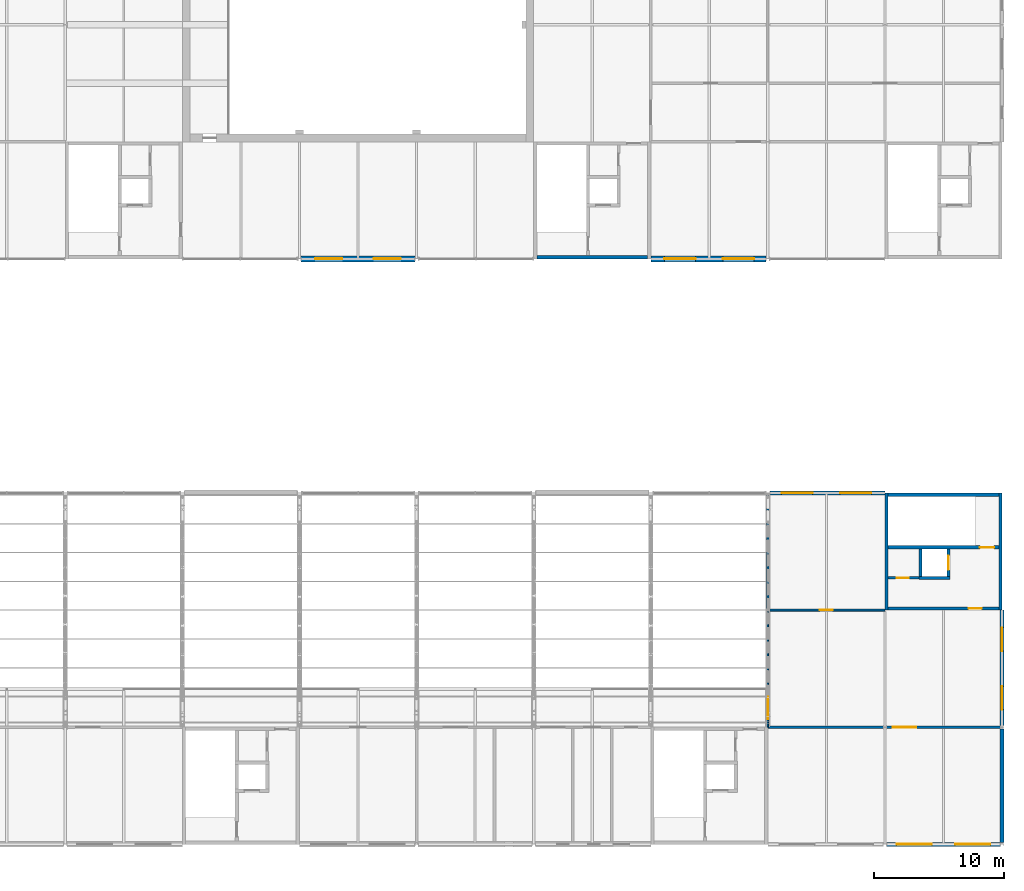
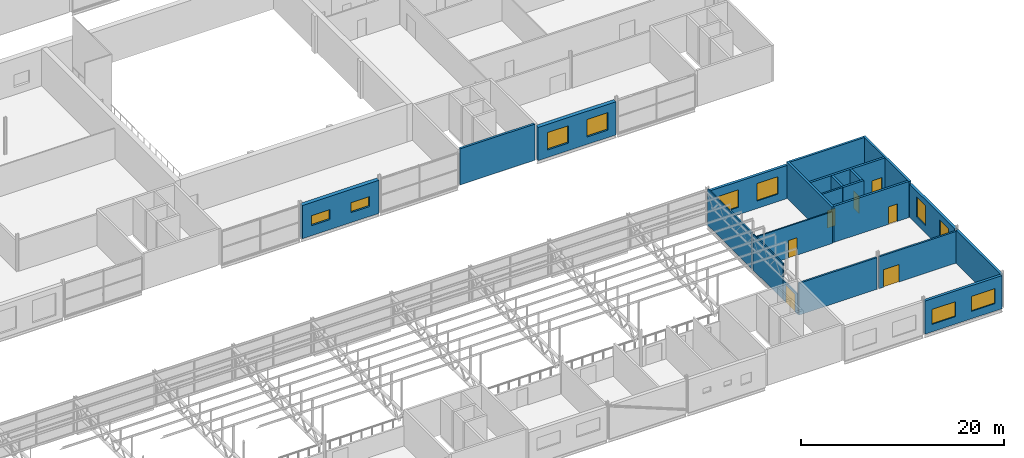
# One storey, part 127 of 138: 22 walls, 10 windows, 7 doors, 17 openings.
"""IFC4 building model written with IfcOpenShell, lengths in metres."""

from ifc_helpers import new_model, si_unit, direction, frame, frame_2d, origin, place, context, subcontext, project, spatial, rectangle, extrude, material, layer, layer_set, type_object, element, fill, save


model = new_model("IFC4")

# Units and contexts
model_context = context("Model", 3, precision=1e-05, world=origin(), true_north=direction((0.0, 1.0)))
body_context = subcontext(model_context, "Body", "Model", "MODEL_VIEW")
ifc_project = project(units=[si_unit("LENGTHUNIT", "METRE"), si_unit("AREAUNIT", "SQUARE_METRE"), si_unit("VOLUMEUNIT", "CUBIC_METRE"), si_unit("PLANEANGLEUNIT", "RADIAN"), si_unit("MASSUNIT", "GRAM", prefix="KILO")], contexts=[model_context])

# Site, building, storey
site_placement = place(None, origin())
site = spatial("IfcSite", under=ifc_project, at=site_placement, CompositionType="ELEMENT")
building_placement = place(site_placement, origin())
building = spatial("IfcBuilding", under=site, at=building_placement, Name="Corbel Yard City Hall", CompositionType="ELEMENT")
storey_placement = place(building_placement, frame((0.0, 0.0, 10.5)))
storey = spatial("IfcBuildingStorey", under=building, at=storey_placement, Name="L02", CompositionType="ELEMENT", Elevation=10.5)

# Walls
ifc_material_1 = material(Name="Concrete N50 (50 MPa)", Category="concrete")
ifc_layer_1 = layer(ifc_material_1, 0.25)
ifc_layer_set_1 = layer_set([ifc_layer_1], Name="Concrete N50 (50 MPa)")
wall_type_1 = type_object("IfcWallType", Name="Core cell wall 250", PredefinedType="SHEAR", material=ifc_layer_set_1)
for number, where, z_axis, x_axis, name in (
    (1, (171.125, 18.0, 0.0), (0.0, 0.0, 1.0), (0.0, 1.0, 0.0), "Core PC-S6 west wall"),
    (2, (179.875, 18.0, 0.0), (0.0, 0.0, 1.0), (0.0, 1.0, 0.0), "Core PC-S6 east wall"),
):
    element("IfcWall", number, at=place(storey_placement, frame(where, z_axis=z_axis, x_axis=x_axis)), inside=storey, type_object=wall_type_1, Name=name, PredefinedType="SHEAR", context=body_context, shape_type="SweptSolid", body=[
        extrude(rectangle(XDim=9.0, YDim=0.25, at=frame_2d((4.5, 0.0))), origin(), (0.0, 0.0, 1.0), 4.35009765625),
    ])

# Wall, opening, door
wall_1_placement = place(storey_placement, frame((171.25, 18.125, 0.0), z_axis=(0.0, 0.0, 1.0), x_axis=(1.0, 0.0, 0.0)))
wall_1 = element("IfcWall", 3, at=wall_1_placement, inside=storey, type_object=wall_type_1, Name="Core PC-S6 south wall", PredefinedType="SHEAR", context=body_context, shape_type="SweptSolid", body=[
    extrude(rectangle(XDim=8.5, YDim=0.25, at=frame_2d((4.25, 0.0))), origin(), (0.0, 0.0, 1.0), 4.35009765625),
])
opening_1_placement = place(wall_1_placement, frame((6.1875, 0.0, 0.0)))
opening_1 = element("IfcOpeningElement", 4, at=opening_1_placement, cuts=wall_1, Name="Opening L02-046", PredefinedType="OPENING", context=body_context, shape_type="SweptSolid", body=[
    extrude(rectangle(XDim=1.0, YDim=2.10009765625, at=frame_2d((0.5, 1.050048828125))), frame((0.0, 0.135009765625, 0.0), z_axis=(0.0, -1.0, 0.0), x_axis=(1.0, 0.0, 0.0)), (0.0, 0.0, 1.0), 0.27001953125),
])
ifc_material_2 = material(Name="Steel Grade G250", Category="steel")
door_type_1 = type_object("IfcDoorType", Name="FS1", OperationType="SINGLE_SWING_LEFT", PredefinedType="DOOR", material=ifc_material_2)
door_1_placement = place(opening_1_placement, origin())
door_1 = element("IfcDoor", 5, at=door_1_placement, inside=storey, type_object=door_type_1, Name="Door Lift Lobby", OperationType="SINGLE_SWING_RIGHT", OverallHeight=2.10009765625, OverallWidth=1.0, PredefinedType="DOOR", context=body_context, shape_type="SweptSolid", body=[
    extrude(rectangle(XDim=1.0, YDim=2.10009765625, at=frame_2d((0.5, 1.050048828125))), frame((0.0, 0.02490234375, 0.0), z_axis=(0.0, -1.0, 0.0), x_axis=(1.0, 0.0, 0.0)), (0.0, 0.0, 1.0), 0.050048828125),
])
fill(opening_1, door_1)

# Walls
for number, where, z_axis, x_axis, name in (
    (6, (171.25, 26.875, 0.0), (0.0, 0.0, 1.0), (1.0, 0.0, 0.0), "Core PC-S6 north wall"),
    (7, (144.25, 45.125, 0.0), (0.0, 0.0, 1.0), (1.0, 0.0, 0.0), "Core PC-M4 south wall"),
):
    element("IfcWall", number, at=place(storey_placement, frame(where, z_axis=z_axis, x_axis=x_axis)), inside=storey, type_object=wall_type_1, Name=name, PredefinedType="SHEAR", context=body_context, shape_type="SweptSolid", body=[
        extrude(rectangle(XDim=8.5, YDim=0.25, at=frame_2d((4.25, 0.0))), origin(), (0.0, 0.0, 1.0), 4.35009765625),
    ])

# Wall, openings, windows
ifc_material_3 = material(Name="Sandstone cladding", Category="masonry")
ifc_layer_2 = layer(ifc_material_3, 0.0400390625)
ifc_material_4 = material(Name="Air cavity", Category="air")
ifc_layer_3 = layer(ifc_material_4, 0.0400390625)
ifc_material_5 = material(Name="Concrete block", Category="concrete")
ifc_layer_4 = layer(ifc_material_5, 0.18994140625)
ifc_material_6 = material(Name="Gypsum plasterboard", Category="gypsum")
ifc_layer_5 = layer(ifc_material_6, 0.030029296875)
ifc_layer_set_2 = layer_set([ifc_layer_2, ifc_layer_3, ifc_layer_4, ifc_layer_5], Name="Concrete block")
wall_type_2 = type_object("IfcWallType", Name="EW1", PredefinedType="SOLIDWALL", material=ifc_layer_set_2)
wall_2_placement = place(storey_placement, frame((171.126953125, 0.0, 0.0), z_axis=(0.0, 0.0, 1.0), x_axis=(1.0, 0.0, 0.0)))
wall_2 = element("IfcWall", 8, at=wall_2_placement, inside=storey, type_object=wall_type_2, Name="External wall", PredefinedType="SOLIDWALL", context=body_context, shape_type="SweptSolid", body=[
    extrude(rectangle(XDim=8.74609375, YDim=0.300048828125, at=frame_2d((4.373046875, 0.0))), origin(), (0.0, 0.0, 1.0), 3.990966796875),
])
opening_2_placement = place(wall_2_placement, frame((0.77294921875, 0.0, 0.89990234375)))
opening_2 = element("IfcOpeningElement", 9, at=opening_2_placement, cuts=wall_2, Name="Opening WN16", PredefinedType="OPENING", context=body_context, shape_type="SweptSolid", body=[
    extrude(rectangle(XDim=2.699951171875, YDim=1.800048828125, at=frame_2d((1.35009765625, 0.89990234375))), frame((0.0, 0.159912109375, 0.0), z_axis=(0.0, -1.0, 0.0), x_axis=(1.0, 0.0, 0.0)), (0.0, 0.0, 1.0), 0.320068359375),
])
opening_3_placement = place(wall_2_placement, frame((5.27294921875, 0.0, 0.89990234375)))
opening_3 = element("IfcOpeningElement", 10, at=opening_3_placement, cuts=wall_2, Name="Opening WN16", PredefinedType="OPENING", context=body_context, shape_type="SweptSolid", body=[
    extrude(rectangle(XDim=2.699951171875, YDim=1.800048828125, at=frame_2d((1.35009765625, 0.89990234375))), frame((0.0, 0.159912109375, 0.0), z_axis=(0.0, -1.0, 0.0), x_axis=(1.0, 0.0, 0.0)), (0.0, 0.0, 1.0), 0.320068359375),
])
ifc_material_7 = material(Name="Aluminium frame, double glazed low-e glass", Category="aluminium")
window_type_1 = type_object("IfcWindowType", Name="WN16", PartitioningType="SINGLE_PANEL", PredefinedType="WINDOW", material=ifc_material_7)
window_1_placement = place(opening_2_placement, origin())
window_1 = element("IfcWindow", 11, at=window_1_placement, inside=storey, type_object=window_type_1, Name="Window WN16 L02", OverallHeight=1.800048828125, OverallWidth=2.699951171875, PartitioningType="SINGLE_PANEL", PredefinedType="WINDOW", context=body_context, shape_type="SweptSolid", body=[
    extrude(rectangle(XDim=2.699951171875, YDim=1.800048828125, at=frame_2d((1.35009765625, 0.89990234375))), frame((0.0, 0.030029296875, 0.0), z_axis=(0.0, -1.0, 0.0), x_axis=(1.0, 0.0, 0.0)), (0.0, 0.0, 1.0), 0.06005859375),
])
fill(opening_2, window_1)
window_2_placement = place(opening_3_placement, origin())
window_2 = element("IfcWindow", 12, at=window_2_placement, inside=storey, type_object=window_type_1, Name="Window WN16 L02", OverallHeight=1.800048828125, OverallWidth=2.699951171875, PartitioningType="SINGLE_PANEL", PredefinedType="WINDOW", context=body_context, shape_type="SweptSolid", body=[
    extrude(rectangle(XDim=2.699951171875, YDim=1.800048828125, at=frame_2d((1.35009765625, 0.89990234375))), frame((0.0, 0.030029296875, 0.0), z_axis=(0.0, -1.0, 0.0), x_axis=(1.0, 0.0, 0.0)), (0.0, 0.0, 1.0), 0.06005859375),
])
fill(opening_3, window_2)

wall_3_placement = place(storey_placement, frame((162.154052734375, 27.0, 0.0), z_axis=(0.0, 0.0, 1.0), x_axis=(1.0, 0.0, 0.0)))
wall_3 = element("IfcWall", 13, at=wall_3_placement, inside=storey, type_object=wall_type_2, Name="External wall", PredefinedType="SOLIDWALL", context=body_context, shape_type="SweptSolid", body=[
    extrude(rectangle(XDim=8.845947265625, YDim=0.300048828125, at=frame_2d((4.4228515625, 0.0))), origin(), (0.0, 0.0, 1.0), 3.990966796875),
])
opening_4_placement = place(wall_3_placement, frame((0.89599609375, 0.0, 0.89990234375)))
opening_4 = element("IfcOpeningElement", 14, at=opening_4_placement, cuts=wall_3, Name="Opening WN8", PredefinedType="OPENING", context=body_context, shape_type="SweptSolid", body=[
    extrude(rectangle(XDim=2.39990234375, YDim=2.10009765625, at=frame_2d((1.199951171875, 1.050048828125))), frame((0.0, 0.159912109375, 0.0), z_axis=(0.0, -1.0, 0.0), x_axis=(1.0, 0.0, 0.0)), (0.0, 0.0, 1.0), 0.320068359375),
])
opening_5_placement = place(wall_3_placement, frame((5.39599609375, 0.0, 0.89990234375)))
opening_5 = element("IfcOpeningElement", 15, at=opening_5_placement, cuts=wall_3, Name="Opening WN8", PredefinedType="OPENING", context=body_context, shape_type="SweptSolid", body=[
    extrude(rectangle(XDim=2.39990234375, YDim=2.10009765625, at=frame_2d((1.199951171875, 1.050048828125))), frame((0.0, 0.159912109375, 0.0), z_axis=(0.0, -1.0, 0.0), x_axis=(1.0, 0.0, 0.0)), (0.0, 0.0, 1.0), 0.320068359375),
])
window_type_2 = type_object("IfcWindowType", Name="WN8", PartitioningType="SINGLE_PANEL", PredefinedType="WINDOW", material=ifc_material_7)
window_3_placement = place(opening_4_placement, origin())
window_3 = element("IfcWindow", 16, at=window_3_placement, inside=storey, type_object=window_type_2, Name="Window WN8 L02", OverallHeight=2.10009765625, OverallWidth=2.39990234375, PartitioningType="SINGLE_PANEL", PredefinedType="WINDOW", context=body_context, shape_type="SweptSolid", body=[
    extrude(rectangle(XDim=2.39990234375, YDim=2.10009765625, at=frame_2d((1.199951171875, 1.050048828125))), frame((0.0, 0.030029296875, 0.0), z_axis=(0.0, -1.0, 0.0), x_axis=(1.0, 0.0, 0.0)), (0.0, 0.0, 1.0), 0.06005859375),
])
fill(opening_4, window_3)
window_4_placement = place(opening_5_placement, origin())
window_4 = element("IfcWindow", 17, at=window_4_placement, inside=storey, type_object=window_type_2, Name="Window WN8 L02", OverallHeight=2.10009765625, OverallWidth=2.39990234375, PartitioningType="SINGLE_PANEL", PredefinedType="WINDOW", context=body_context, shape_type="SweptSolid", body=[
    extrude(rectangle(XDim=2.39990234375, YDim=2.10009765625, at=frame_2d((1.199951171875, 1.050048828125))), frame((0.0, 0.030029296875, 0.0), z_axis=(0.0, -1.0, 0.0), x_axis=(1.0, 0.0, 0.0)), (0.0, 0.0, 1.0), 0.06005859375),
])
fill(opening_5, window_4)

ifc_layer_6 = layer(ifc_material_3, 0.06005859375)
ifc_layer_7 = layer(ifc_material_4, 0.0400390625)
ifc_material_8 = material(Name="Concrete N40 (40 MPa)", Category="concrete")
ifc_layer_8 = layer(ifc_material_8, 0.25)
ifc_material_9 = material(Name="Mineral wool", Category="insulation")
ifc_layer_9 = layer(ifc_material_9, 0.10009765625)
ifc_layer_set_3 = layer_set([ifc_layer_6, ifc_layer_7, ifc_layer_8, ifc_layer_9], Name="Concrete N40 (40 MPa)")
wall_type_3 = type_object("IfcWallType", Name="EW2", PredefinedType="SOLIDWALL", material=ifc_layer_set_3)
wall_4_placement = place(storey_placement, frame((126.126953125, 45.0, 0.0), z_axis=(0.0, 0.0, 1.0), x_axis=(1.0, 0.0, 0.0)))
wall_4 = element("IfcWall", 18, at=wall_4_placement, inside=storey, type_object=wall_type_3, Name="Entrance pier wall", PredefinedType="SOLIDWALL", context=body_context, shape_type="SweptSolid", body=[
    extrude(rectangle(XDim=8.74609375, YDim=0.449951171875, at=frame_2d((4.373046875, 0.0))), origin(), (0.0, 0.0, 1.0), 3.990966796875),
])
opening_6_placement = place(wall_4_placement, frame((1.072998046875, 0.0, 1.199951171875)))
opening_6 = element("IfcOpeningElement", 19, at=opening_6_placement, cuts=wall_4, Name="Opening WN19", PredefinedType="OPENING", context=body_context, shape_type="SweptSolid", body=[
    extrude(rectangle(XDim=2.10009765625, YDim=1.199951171875, at=frame_2d((1.050048828125, 0.60009765625))), frame((0.0, 0.23486328125, 0.0), z_axis=(0.0, -1.0, 0.0), x_axis=(1.0, 0.0, 0.0)), (0.0, 0.0, 1.0), 0.469970703125),
])
opening_7_placement = place(wall_4_placement, frame((5.572998046875, 0.0, 1.199951171875)))
opening_7 = element("IfcOpeningElement", 20, at=opening_7_placement, cuts=wall_4, Name="Opening WN19", PredefinedType="OPENING", context=body_context, shape_type="SweptSolid", body=[
    extrude(rectangle(XDim=2.10009765625, YDim=1.199951171875, at=frame_2d((1.050048828125, 0.60009765625))), frame((0.0, 0.23486328125, 0.0), z_axis=(0.0, -1.0, 0.0), x_axis=(1.0, 0.0, 0.0)), (0.0, 0.0, 1.0), 0.469970703125),
])
window_type_3 = type_object("IfcWindowType", Name="WN19", PartitioningType="SINGLE_PANEL", PredefinedType="WINDOW", material=ifc_material_7)
window_5_placement = place(opening_6_placement, origin())
window_5 = element("IfcWindow", 21, at=window_5_placement, inside=storey, type_object=window_type_3, Name="Window WN19 L02", OverallHeight=1.199951171875, OverallWidth=2.10009765625, PartitioningType="SINGLE_PANEL", PredefinedType="WINDOW", context=body_context, shape_type="SweptSolid", body=[
    extrude(rectangle(XDim=2.10009765625, YDim=1.199951171875, at=frame_2d((1.050048828125, 0.60009765625))), frame((0.0, 0.030029296875, 0.0), z_axis=(0.0, -1.0, 0.0), x_axis=(1.0, 0.0, 0.0)), (0.0, 0.0, 1.0), 0.06005859375),
])
fill(opening_6, window_5)
window_6_placement = place(opening_7_placement, origin())
window_6 = element("IfcWindow", 22, at=window_6_placement, inside=storey, type_object=window_type_3, Name="Window WN19 L02", OverallHeight=1.199951171875, OverallWidth=2.10009765625, PartitioningType="SINGLE_PANEL", PredefinedType="WINDOW", context=body_context, shape_type="SweptSolid", body=[
    extrude(rectangle(XDim=2.10009765625, YDim=1.199951171875, at=frame_2d((1.050048828125, 0.60009765625))), frame((0.0, 0.030029296875, 0.0), z_axis=(0.0, -1.0, 0.0), x_axis=(1.0, 0.0, 0.0)), (0.0, 0.0, 1.0), 0.06005859375),
])
fill(opening_7, window_6)

wall_5_placement = place(storey_placement, frame((153.0, 45.0, 0.0), z_axis=(0.0, 0.0, 1.0), x_axis=(1.0, 0.0, 0.0)))
wall_5 = element("IfcWall", 23, at=wall_5_placement, inside=storey, type_object=wall_type_3, Name="Entrance pier wall", PredefinedType="SOLIDWALL", context=body_context, shape_type="SweptSolid", body=[
    extrude(rectangle(XDim=8.873046875, YDim=0.449951171875, at=frame_2d((4.4365234375, 0.0))), origin(), (0.0, 0.0, 1.0), 3.990966796875),
])
opening_8_placement = place(wall_5_placement, frame((1.050048828125, 0.0, 0.89990234375)))
opening_8 = element("IfcOpeningElement", 24, at=opening_8_placement, cuts=wall_5, Name="Opening WN8", PredefinedType="OPENING", context=body_context, shape_type="SweptSolid", body=[
    extrude(rectangle(XDim=2.39990234375, YDim=2.10009765625, at=frame_2d((1.199951171875, 1.050048828125))), frame((0.0, 0.23486328125, 0.0), z_axis=(0.0, -1.0, 0.0), x_axis=(1.0, 0.0, 0.0)), (0.0, 0.0, 1.0), 0.469970703125),
])
opening_9_placement = place(wall_5_placement, frame((5.550048828125, 0.0, 0.89990234375)))
opening_9 = element("IfcOpeningElement", 25, at=opening_9_placement, cuts=wall_5, Name="Opening WN8", PredefinedType="OPENING", context=body_context, shape_type="SweptSolid", body=[
    extrude(rectangle(XDim=2.39990234375, YDim=2.10009765625, at=frame_2d((1.199951171875, 1.050048828125))), frame((0.0, 0.23486328125, 0.0), z_axis=(0.0, -1.0, 0.0), x_axis=(1.0, 0.0, 0.0)), (0.0, 0.0, 1.0), 0.469970703125),
])
window_7_placement = place(opening_8_placement, origin())
window_7 = element("IfcWindow", 26, at=window_7_placement, inside=storey, type_object=window_type_2, Name="Window WN8 L02", OverallHeight=2.10009765625, OverallWidth=2.39990234375, PartitioningType="SINGLE_PANEL", PredefinedType="WINDOW", context=body_context, shape_type="SweptSolid", body=[
    extrude(rectangle(XDim=2.39990234375, YDim=2.10009765625, at=frame_2d((1.199951171875, 1.050048828125))), frame((0.0, 0.030029296875, 0.0), z_axis=(0.0, -1.0, 0.0), x_axis=(1.0, 0.0, 0.0)), (0.0, 0.0, 1.0), 0.06005859375),
])
fill(opening_8, window_7)
window_8_placement = place(opening_9_placement, origin())
window_8 = element("IfcWindow", 27, at=window_8_placement, inside=storey, type_object=window_type_2, Name="Window WN8 L02", OverallHeight=2.10009765625, OverallWidth=2.39990234375, PartitioningType="SINGLE_PANEL", PredefinedType="WINDOW", context=body_context, shape_type="SweptSolid", body=[
    extrude(rectangle(XDim=2.39990234375, YDim=2.10009765625, at=frame_2d((1.199951171875, 1.050048828125))), frame((0.0, 0.030029296875, 0.0), z_axis=(0.0, -1.0, 0.0), x_axis=(1.0, 0.0, 0.0)), (0.0, 0.0, 1.0), 0.06005859375),
])
fill(opening_9, window_8)

# Wall
ifc_material_10 = material(Name="Cement render", Category="render")
ifc_layer_10 = layer(ifc_material_10, 0.02001953125)
ifc_layer_11 = layer(ifc_material_5, 0.18994140625)
ifc_layer_12 = layer(ifc_material_6, 0.0400390625)
ifc_layer_13 = layer(ifc_material_9, 0.030029296875)
ifc_layer_set_4 = layer_set([ifc_layer_10, ifc_layer_11, ifc_layer_12, ifc_layer_13], Name="Concrete block")
wall_type_4 = type_object("IfcWallType", Name="EW4", PredefinedType="SOLIDWALL", material=ifc_layer_set_4)
wall_6_placement = place(storey_placement, frame((180.0, 0.126953125, 0.0), z_axis=(0.0, 0.0, 1.0), x_axis=(0.0, 1.0, 0.0)))
element("IfcWall", 28, at=wall_6_placement, inside=storey, type_object=wall_type_4, Name="Loading dock wall", PredefinedType="SOLIDWALL", context=body_context, shape_type="SweptSolid", body=[
    extrude(rectangle(XDim=8.74609375, YDim=0.280029296875, at=frame_2d((4.373046875, 0.0))), origin(), (0.0, 0.0, 1.0), 3.990966796875),
])

# Wall, openings, windows
ifc_layer_14 = layer(ifc_material_3, 0.0400390625)
ifc_layer_15 = layer(ifc_material_4, 0.030029296875)
ifc_layer_16 = layer(ifc_material_8, 0.18994140625)
ifc_layer_17 = layer(ifc_material_6, 0.0400390625)
ifc_layer_set_5 = layer_set([ifc_layer_14, ifc_layer_15, ifc_layer_16, ifc_layer_17], Name="Concrete N40 (40 MPa)")
wall_type_5 = type_object("IfcWallType", Name="EW7", PredefinedType="SOLIDWALL", material=ifc_layer_set_5)
wall_7_placement = place(storey_placement, frame((180.0, 9.126953125, 0.0), z_axis=(0.0, 0.0, 1.0), x_axis=(0.0, 1.0, 0.0)))
wall_7 = element("IfcWall", 29, at=wall_7_placement, inside=storey, type_object=wall_type_5, Name="Entrance pier wall", PredefinedType="SOLIDWALL", context=body_context, shape_type="SweptSolid", body=[
    extrude(rectangle(XDim=8.873046875, YDim=0.300048828125, at=frame_2d((4.4365234375, 0.0))), origin(), (0.0, 0.0, 1.0), 3.990966796875),
])
opening_10_placement = place(wall_7_placement, frame((1.222900390625, 0.0, 0.89990234375)))
opening_10 = element("IfcOpeningElement", 30, at=opening_10_placement, cuts=wall_7, Name="Opening WN1", PredefinedType="OPENING", context=body_context, shape_type="SweptSolid", body=[
    extrude(rectangle(XDim=1.800048828125, YDim=2.39990234375, at=frame_2d((0.89990234375, 1.199951171875))), frame((0.0, 0.159912109375, 0.0), z_axis=(0.0, -1.0, 0.0), x_axis=(1.0, 0.0, 0.0)), (0.0, 0.0, 1.0), 0.320068359375),
])
opening_11_placement = place(wall_7_placement, frame((5.722900390625, 0.0, 0.89990234375)))
opening_11 = element("IfcOpeningElement", 31, at=opening_11_placement, cuts=wall_7, Name="Opening WN1", PredefinedType="OPENING", context=body_context, shape_type="SweptSolid", body=[
    extrude(rectangle(XDim=1.800048828125, YDim=2.39990234375, at=frame_2d((0.89990234375, 1.199951171875))), frame((0.0, 0.159912109375, 0.0), z_axis=(0.0, -1.0, 0.0), x_axis=(1.0, 0.0, 0.0)), (0.0, 0.0, 1.0), 0.320068359375),
])
window_type_4 = type_object("IfcWindowType", Name="WN1", PartitioningType="SINGLE_PANEL", PredefinedType="WINDOW", material=ifc_material_7)
window_9_placement = place(opening_10_placement, origin())
window_9 = element("IfcWindow", 32, at=window_9_placement, inside=storey, type_object=window_type_4, Name="Window WN1 L02", OverallHeight=2.39990234375, OverallWidth=1.800048828125, PartitioningType="SINGLE_PANEL", PredefinedType="WINDOW", context=body_context, shape_type="SweptSolid", body=[
    extrude(rectangle(XDim=1.800048828125, YDim=2.39990234375, at=frame_2d((0.89990234375, 1.199951171875))), frame((0.0, 0.030029296875, 0.0), z_axis=(0.0, -1.0, 0.0), x_axis=(1.0, 0.0, 0.0)), (0.0, 0.0, 1.0), 0.06005859375),
])
fill(opening_10, window_9)
window_10_placement = place(opening_11_placement, origin())
window_10 = element("IfcWindow", 33, at=window_10_placement, inside=storey, type_object=window_type_4, Name="Window WN1 L02", OverallHeight=2.39990234375, OverallWidth=1.800048828125, PartitioningType="SINGLE_PANEL", PredefinedType="WINDOW", context=body_context, shape_type="SweptSolid", body=[
    extrude(rectangle(XDim=1.800048828125, YDim=2.39990234375, at=frame_2d((0.89990234375, 1.199951171875))), frame((0.0, 0.030029296875, 0.0), z_axis=(0.0, -1.0, 0.0), x_axis=(1.0, 0.0, 0.0)), (0.0, 0.0, 1.0), 0.06005859375),
])
fill(opening_11, window_10)

# Wall, opening, door
ifc_layer_18 = layer(ifc_material_8, 0.25)
ifc_layer_set_6 = layer_set([ifc_layer_18], Name="Concrete N40 (40 MPa)")
wall_type_6 = type_object("IfcWallType", Name="IW2", PredefinedType="SOLIDWALL", material=ifc_layer_set_6)
wall_8_placement = place(storey_placement, frame((179.75, 22.824951171875, 0.0), z_axis=(0.0, 0.0, 1.0), x_axis=(-1.0, 0.0, 0.0)))
wall_8 = element("IfcWall", 34, at=wall_8_placement, inside=storey, type_object=wall_type_6, Name="Stair enclosure wall", PredefinedType="SOLIDWALL", context=body_context, shape_type="SweptSolid", body=[
    extrude(rectangle(XDim=8.5, YDim=0.25, at=frame_2d((4.25, 0.0))), origin(), (0.0, 0.0, 1.0), 4.35009765625),
])
opening_12_placement = place(wall_8_placement, frame((0.35009765625, 0.0, 0.0)))
opening_12 = element("IfcOpeningElement", 35, at=opening_12_placement, cuts=wall_8, Name="Opening L02-045", PredefinedType="OPENING", context=body_context, shape_type="SweptSolid", body=[
    extrude(rectangle(XDim=1.10009765625, YDim=2.10009765625, at=frame_2d((0.550048828125, 1.050048828125))), frame((0.0, 0.135009765625, 0.0), z_axis=(0.0, -1.0, 0.0), x_axis=(1.0, 0.0, 0.0)), (0.0, 0.0, 1.0), 0.27001953125),
])
door_type_2 = type_object("IfcDoorType", Name="FS11", OperationType="SINGLE_SWING_LEFT", PredefinedType="DOOR", material=ifc_material_2)
door_2_placement = place(opening_12_placement, frame((1.10009765625, 0.0, 0.0), z_axis=(0.0, 0.0, 1.0), x_axis=(-1.0, 0.0, 0.0)))
door_2 = element("IfcDoor", 36, at=door_2_placement, inside=storey, type_object=door_type_2, Name="Door Exit Stair 7", OperationType="SINGLE_SWING_RIGHT", OverallHeight=2.10009765625, OverallWidth=1.10009765625, PredefinedType="DOOR", context=body_context, shape_type="SweptSolid", body=[
    extrude(rectangle(XDim=1.10009765625, YDim=2.10009765625, at=frame_2d((0.550048828125, 1.050048828125))), frame((0.0, 0.02490234375, 0.0), z_axis=(0.0, -1.0, 0.0), x_axis=(1.0, 0.0, 0.0)), (0.0, 0.0, 1.0), 0.050048828125),
])
fill(opening_12, door_2)

# Walls
wall_9_placement = place(storey_placement, frame((173.60009765625, 20.47509765625, 0.0), z_axis=(0.0, 0.0, 1.0), x_axis=(1.0, 0.0, 0.0)))
element("IfcWall", 37, at=wall_9_placement, inside=storey, type_object=wall_type_6, Name="Lift LP7 shaft wall", PredefinedType="SOLIDWALL", context=body_context, shape_type="SweptSolid", body=[
    extrude(rectangle(XDim=2.39990234375, YDim=0.25, at=frame_2d((1.199951171875, 0.0))), origin(), (0.0, 0.0, 1.0), 4.35009765625),
])
wall_10_placement = place(storey_placement, frame((173.72509765625, 20.60009765625, 0.0), z_axis=(0.0, 0.0, 1.0), x_axis=(0.0, 1.0, 0.0)))
element("IfcWall", 38, at=wall_10_placement, inside=storey, type_object=wall_type_6, Name="Lift LP7 shaft wall", PredefinedType="SOLIDWALL", context=body_context, shape_type="SweptSolid", body=[
    extrude(rectangle(XDim=2.099853515625, YDim=0.25, at=frame_2d((1.0498046875, 0.0))), origin(), (0.0, 0.0, 1.0), 4.35009765625),
])

# Wall, opening, door
wall_11_placement = place(storey_placement, frame((175.875, 20.60009765625, 0.0), z_axis=(0.0, 0.0, 1.0), x_axis=(0.0, 1.0, 0.0)))
wall_11 = element("IfcWall", 39, at=wall_11_placement, inside=storey, type_object=wall_type_6, Name="Lift LP7 shaft wall", PredefinedType="SOLIDWALL", context=body_context, shape_type="SweptSolid", body=[
    extrude(rectangle(XDim=2.099853515625, YDim=0.25, at=frame_2d((1.0498046875, 0.0))), origin(), (0.0, 0.0, 1.0), 4.35009765625),
])
opening_13_placement = place(wall_11_placement, frame((0.5, 0.0, 0.0)))
opening_13 = element("IfcOpeningElement", 40, at=opening_13_placement, cuts=wall_11, Name="Opening L02-007", PredefinedType="OPENING", context=body_context, shape_type="SweptSolid", body=[
    extrude(rectangle(XDim=1.10009765625, YDim=2.10009765625, at=frame_2d((0.550048828125, 1.050048828125))), frame((0.0, 0.135009765625, 0.0), z_axis=(0.0, -1.0, 0.0), x_axis=(1.0, 0.0, 0.0)), (0.0, 0.0, 1.0), 0.27001953125),
])
ifc_material_11 = material(Name="Stainless steel Grade 316", Category="steel")
door_type_3 = type_object("IfcDoorType", Name="LD1", OperationType="DOUBLE_DOOR_SLIDING", PredefinedType="DOOR", material=ifc_material_11)
door_3_placement = place(opening_13_placement, origin())
door_3 = element("IfcDoor", 41, at=door_3_placement, inside=storey, type_object=door_type_3, Name="Lift LP7 landing door", OperationType="DOUBLE_DOOR_SLIDING", OverallHeight=2.10009765625, OverallWidth=1.10009765625, PredefinedType="DOOR", context=body_context, shape_type="SweptSolid", body=[
    extrude(rectangle(XDim=1.10009765625, YDim=2.10009765625, at=frame_2d((0.550048828125, 1.050048828125))), frame((0.0, 0.02490234375, 0.0), z_axis=(0.0, -1.0, 0.0), x_axis=(1.0, 0.0, 0.0)), (0.0, 0.0, 1.0), 0.050048828125),
])
fill(opening_13, door_3)

ifc_layer_19 = layer(ifc_material_6, 0.028076171875)
ifc_material_12 = material(Name="Steel Grade G550 (550 MPa yield)", Category="steel")
ifc_layer_20 = layer(ifc_material_12, 0.06396484375)
ifc_layer_21 = layer(ifc_material_6, 0.028076171875)
ifc_layer_set_7 = layer_set([ifc_layer_19, ifc_layer_20, ifc_layer_21], Name="Steel Grade G550 (550 MPa yield)")
wall_type_7 = type_object("IfcWallType", Name="PT1", PredefinedType="PARTITIONING", material=ifc_layer_set_7)
wall_12_placement = place(storey_placement, frame((162.0, 9.0, 0.0), z_axis=(0.0, 0.0, 1.0), x_axis=(0.0, 1.0, 0.0)))
wall_12 = element("IfcWall", 42, at=wall_12_placement, inside=storey, type_object=wall_type_7, Name="Partition", PredefinedType="PARTITIONING", context=body_context, shape_type="SweptSolid", body=[
    extrude(rectangle(XDim=3.0, YDim=0.1201171875, at=frame_2d((1.5, 0.0))), origin(), (0.0, 0.0, 1.0), 2.414306640625),
])
opening_14_placement = place(wall_12_placement, frame((0.60009765625, 0.0, 0.0)))
opening_14 = element("IfcOpeningElement", 43, at=opening_14_placement, cuts=wall_12, Name="Opening L02-042", PredefinedType="OPENING", context=body_context, shape_type="SweptSolid", body=[
    extrude(rectangle(XDim=1.800048828125, YDim=2.10009765625, at=frame_2d((0.89990234375, 1.050048828125))), frame((0.0, 0.070068359375, 0.0), z_axis=(0.0, -1.0, 0.0), x_axis=(1.0, 0.0, 0.0)), (0.0, 0.0, 1.0), 0.14013671875),
])
ifc_material_13 = material(Name="Timber", Category="wood")
door_type_4 = type_object("IfcDoorType", Name="D3", OperationType="DOUBLE_DOOR_SINGLE_SWING", PredefinedType="DOOR", material=ifc_material_13)
door_4_placement = place(opening_14_placement, origin())
door_4 = element("IfcDoor", 44, at=door_4_placement, inside=storey, type_object=door_type_4, Name="Door East Landing", OperationType="DOUBLE_DOOR_SINGLE_SWING", OverallHeight=2.10009765625, OverallWidth=1.800048828125, PredefinedType="DOOR", context=body_context, shape_type="SweptSolid", body=[
    extrude(rectangle(XDim=1.800048828125, YDim=2.10009765625, at=frame_2d((0.89990234375, 1.050048828125))), frame((0.0, 0.02490234375, 0.0), z_axis=(0.0, -1.0, 0.0), x_axis=(1.0, 0.0, 0.0)), (0.0, 0.0, 1.0), 0.050048828125),
])
fill(opening_14, door_4)

# Walls
wall_13_placement = place(storey_placement, frame((162.0, 12.0, 0.0), z_axis=(0.0, 0.0, 1.0), x_axis=(0.0, 1.0, 0.0)))
element("IfcWall", 45, at=wall_13_placement, inside=storey, type_object=wall_type_7, Name="Partition", PredefinedType="PARTITIONING", context=body_context, shape_type="SweptSolid", body=[
    extrude(rectangle(XDim=5.8701171875, YDim=0.1201171875, at=frame_2d((2.93505859375, 0.0))), origin(), (0.0, 0.0, 1.0), 4.35009765625),
])
ifc_layer_22 = layer(ifc_material_6, 0.031982421875)
ifc_layer_23 = layer(ifc_material_12, 0.135986328125)
ifc_layer_24 = layer(ifc_material_6, 0.031982421875)
ifc_layer_set_8 = layer_set([ifc_layer_22, ifc_layer_23, ifc_layer_24], Name="Steel Grade G550 (550 MPa yield)")
wall_type_8 = type_object("IfcWallType", Name="PT2", PredefinedType="PARTITIONING", material=ifc_layer_set_8)
wall_14_placement = place(storey_placement, frame((162.0, 9.0, 0.0), z_axis=(0.0, 0.0, 1.0), x_axis=(1.0, 0.0, 0.0)))
element("IfcWall", 46, at=wall_14_placement, inside=storey, type_object=wall_type_8, Name="Acoustic wall", PredefinedType="PARTITIONING", context=body_context, shape_type="SweptSolid", body=[
    extrude(rectangle(XDim=8.8701171875, YDim=0.199951171875, at=frame_2d((4.43505859375, 0.0))), origin(), (0.0, 0.0, 1.0), 3.822021484375),
])

# Wall, opening, door
wall_15_placement = place(storey_placement, frame((171.1298828125, 9.0, 0.0), z_axis=(0.0, 0.0, 1.0), x_axis=(1.0, 0.0, 0.0)))
wall_15 = element("IfcWall", 47, at=wall_15_placement, inside=storey, type_object=wall_type_8, Name="Acoustic wall", PredefinedType="PARTITIONING", context=body_context, shape_type="SweptSolid", body=[
    extrude(rectangle(XDim=8.7431640625, YDim=0.199951171875, at=frame_2d((4.37158203125, 0.0))), origin(), (0.0, 0.0, 1.0), 3.822021484375),
])
opening_15_placement = place(wall_15_placement, frame((0.469970703125, 0.0, 0.0)))
opening_15 = element("IfcOpeningElement", 48, at=opening_15_placement, cuts=wall_15, Name="Opening L02-043", PredefinedType="OPENING", context=body_context, shape_type="SweptSolid", body=[
    extrude(rectangle(XDim=1.800048828125, YDim=2.10009765625, at=frame_2d((0.89990234375, 1.050048828125))), frame((0.0, 0.10986328125, 0.0), z_axis=(0.0, -1.0, 0.0), x_axis=(1.0, 0.0, 0.0)), (0.0, 0.0, 1.0), 0.219970703125),
])
door_5_placement = place(opening_15_placement, origin())
door_5 = element("IfcDoor", 49, at=door_5_placement, inside=storey, type_object=door_type_4, Name="Door Training Room 5", OperationType="DOUBLE_DOOR_SINGLE_SWING", OverallHeight=2.10009765625, OverallWidth=1.800048828125, PredefinedType="DOOR", context=body_context, shape_type="SweptSolid", body=[
    extrude(rectangle(XDim=1.800048828125, YDim=2.10009765625, at=frame_2d((0.89990234375, 1.050048828125))), frame((0.0, 0.02490234375, 0.0), z_axis=(0.0, -1.0, 0.0), x_axis=(1.0, 0.0, 0.0)), (0.0, 0.0, 1.0), 0.050048828125),
])
fill(opening_15, door_5)

ifc_material_14 = material(Name="Concrete block", Category="concrete")
ifc_layer_25 = layer(ifc_material_14, 0.18994140625)
ifc_layer_set_9 = layer_set([ifc_layer_25], Name="Concrete block")
wall_type_9 = type_object("IfcWallType", Name="PT4", PredefinedType="PARTITIONING", material=ifc_layer_set_9)
wall_16_placement = place(storey_placement, frame((171.25, 20.47509765625, 0.0), z_axis=(0.0, 0.0, 1.0), x_axis=(1.0, 0.0, 0.0)))
wall_16 = element("IfcWall", 50, at=wall_16_placement, inside=storey, type_object=wall_type_9, Name="Fire-resisting block wall", PredefinedType="PARTITIONING", context=body_context, shape_type="SweptSolid", body=[
    extrude(rectangle(XDim=2.35009765625, YDim=0.18994140625, at=frame_2d((1.175048828125, 0.0))), origin(), (0.0, 0.0, 1.0), 4.35009765625),
])
opening_16_placement = place(wall_16_placement, frame((0.652587890625, 0.0, 0.0)))
opening_16 = element("IfcOpeningElement", 51, at=opening_16_placement, cuts=wall_16, Name="Opening L02-047", PredefinedType="OPENING", context=body_context, shape_type="SweptSolid", body=[
    extrude(rectangle(XDim=0.919921875, YDim=2.10009765625, at=frame_2d((0.4599609375, 1.050048828125))), frame((0.0, 0.10498046875, 0.0), z_axis=(0.0, -1.0, 0.0), x_axis=(1.0, 0.0, 0.0)), (0.0, 0.0, 1.0), 0.2099609375),
])
door_type_5 = type_object("IfcDoorType", Name="FS5", OperationType="SINGLE_SWING_RIGHT", PredefinedType="DOOR", material=ifc_material_2)
door_6_placement = place(opening_16_placement, origin())
door_6 = element("IfcDoor", 52, at=door_6_placement, inside=storey, type_object=door_type_5, Name="Door Service Riser", OperationType="SINGLE_SWING_LEFT", OverallHeight=2.10009765625, OverallWidth=0.919921875, PredefinedType="DOOR", context=body_context, shape_type="SweptSolid", body=[
    extrude(rectangle(XDim=0.919921875, YDim=2.10009765625, at=frame_2d((0.4599609375, 1.050048828125))), frame((0.0, 0.02490234375, 0.0), z_axis=(0.0, -1.0, 0.0), x_axis=(1.0, 0.0, 0.0)), (0.0, 0.0, 1.0), 0.050048828125),
])
fill(opening_16, door_6)

ifc_layer_26 = layer(ifc_material_6, 0.031982421875)
ifc_layer_27 = layer(ifc_material_12, 0.0859375)
ifc_layer_28 = layer(ifc_material_6, 0.031982421875)
ifc_layer_set_10 = layer_set([ifc_layer_26, ifc_layer_27, ifc_layer_28], Name="Steel Grade G550 (550 MPa yield)")
wall_type_10 = type_object("IfcWallType", Name="PT7", PredefinedType="PARTITIONING", material=ifc_layer_set_10)
wall_17_placement = place(storey_placement, frame((162.1298828125, 18.0, 0.0), z_axis=(0.0, 0.0, 1.0), x_axis=(1.0, 0.0, 0.0)))
wall_17 = element("IfcWall", 53, at=wall_17_placement, inside=storey, type_object=wall_type_10, Name="Suite partition", PredefinedType="PARTITIONING", context=body_context, shape_type="SweptSolid", body=[
    extrude(rectangle(XDim=8.8701171875, YDim=0.14990234375, at=frame_2d((4.43505859375, 0.0))), origin(), (0.0, 0.0, 1.0), 3.822021484375),
])
opening_17_placement = place(wall_17_placement, frame((3.8701171875, 0.0, 0.0)))
opening_17 = element("IfcOpeningElement", 54, at=opening_17_placement, cuts=wall_17, Name="Opening L02-044", PredefinedType="OPENING", context=body_context, shape_type="SweptSolid", body=[
    extrude(rectangle(XDim=1.0, YDim=2.10009765625, at=frame_2d((0.5, 1.050048828125))), frame((0.0, 0.0849609375, 0.0), z_axis=(0.0, -1.0, 0.0), x_axis=(1.0, 0.0, 0.0)), (0.0, 0.0, 1.0), 0.169921875),
])
door_type_6 = type_object("IfcDoorType", Name="D1", OperationType="SINGLE_SWING_LEFT", PredefinedType="DOOR", material=ifc_material_13)
door_7_placement = place(opening_17_placement, origin())
door_7 = element("IfcDoor", 55, at=door_7_placement, inside=storey, type_object=door_type_6, Name="Door Meeting Room 4", OperationType="SINGLE_SWING_LEFT", OverallHeight=2.10009765625, OverallWidth=1.0, PredefinedType="DOOR", context=body_context, shape_type="SweptSolid", body=[
    extrude(rectangle(XDim=1.0, YDim=2.10009765625, at=frame_2d((0.5, 1.050048828125))), frame((0.0, 0.02490234375, 0.0), z_axis=(0.0, -1.0, 0.0), x_axis=(1.0, 0.0, 0.0)), (0.0, 0.0, 1.0), 0.050048828125),
])
fill(opening_17, door_7)

# Wall
wall_18_placement = place(storey_placement, frame((162.0, 18.1298828125, 0.0), z_axis=(0.0, 0.0, 1.0), x_axis=(0.0, 1.0, 0.0)))
element("IfcWall", 56, at=wall_18_placement, inside=storey, type_object=wall_type_10, Name="Suite partition", PredefinedType="PARTITIONING", context=body_context, shape_type="SweptSolid", body=[
    extrude(rectangle(XDim=8.716064453125, YDim=0.14990234375, at=frame_2d((4.35791015625, 0.0))), origin(), (0.0, 0.0, 1.0), 4.35009765625),
])

save(model, "model.ifc")
